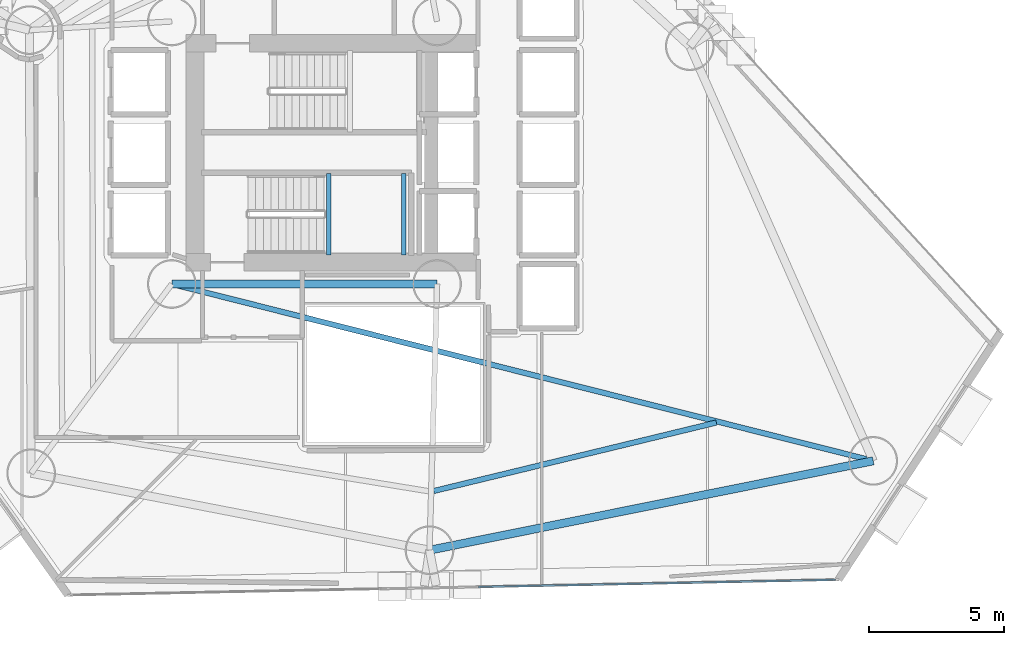
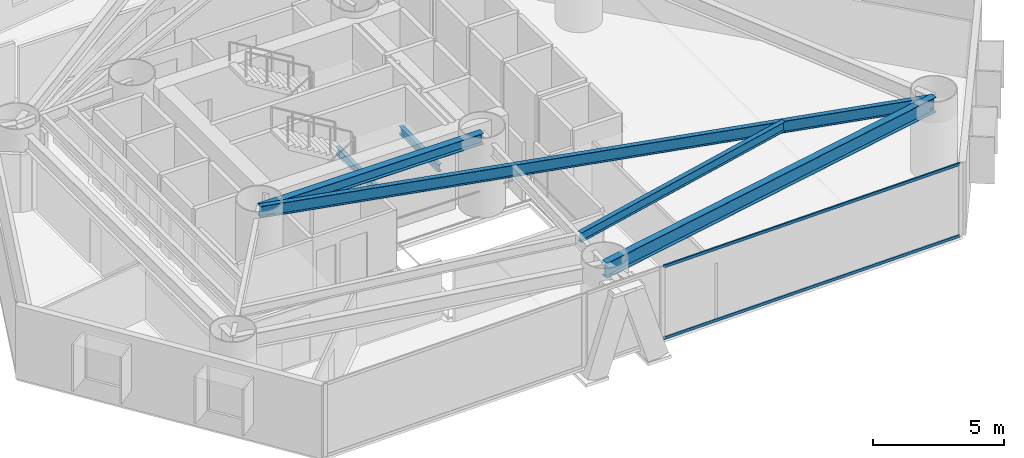
# One storey, part 6 of 22: 6 beams, 2 members, 1 element without a shape of its own.
"""IFC4 building model written with IfcOpenShell, lengths in metres."""

from ifc_helpers import new_model, si_unit, direction, frame, origin, origin_2d, place, context, subcontext, project, spatial, hollow_rectangle, i_section, extrude, material, layer, layer_set, material_profile, profile_set, type_object, element, aggregate, save


model = new_model("IFC4")

# Units and contexts
model_context = context("Model", 3, precision=1e-05, world=origin(), true_north=direction((0.0, 1.0)))
body_context = subcontext(model_context, "Body", "Model", "MODEL_VIEW")
ifc_project = project(units=[si_unit("LENGTHUNIT", "METRE"), si_unit("AREAUNIT", "SQUARE_METRE"), si_unit("VOLUMEUNIT", "CUBIC_METRE"), si_unit("PLANEANGLEUNIT", "RADIAN"), si_unit("MASSUNIT", "GRAM", prefix="KILO")], contexts=[model_context])

# Site, building, storey
site_placement = place(None, origin())
site = spatial("IfcSite", under=ifc_project, at=site_placement, CompositionType="ELEMENT")
building_placement = place(site_placement, origin())
building = spatial("IfcBuilding", under=site, at=building_placement, Name="Qianvela Tower", CompositionType="ELEMENT")
storey_placement = place(building_placement, frame((0.0, 0.0, 44.199951171875)))
storey = spatial("IfcBuildingStorey", under=building, at=storey_placement, Name="L10", CompositionType="ELEMENT", Elevation=44.199951171875)

# Beams
ifc_material_1 = material(Name="Steel Q355B", Category="steel")
ifc_material_profile_1 = material_profile(ifc_material_1, i_section(OverallWidth=0.300048828125, OverallDepth=0.5, WebThickness=0.010986328125, FlangeThickness=0.01806640625, at=origin_2d()), Name="HM500x300x11x18")
ifc_profile_set_1 = profile_set([ifc_material_profile_1], Name="Steel Q355B")
beam_type_1 = type_object("IfcBeamType", Name="BM-HM500-COLL", PredefinedType="BEAM", material=ifc_profile_set_1)
beam_1_placement = place(storey_placement, frame((28.60009765625, 23.85009765625, 3.14794921875), z_axis=(1.0, 0.0, 0.0), x_axis=(0.0, 1.0, 0.0)))
element("IfcBeam", 1, at=beam_1_placement, inside=storey, type_object=beam_type_1, Name="L10 Core Ring Collector Girder CC1", PredefinedType="BEAM", context=body_context, shape_type="SweptSolid", body=[
    extrude(i_section(OverallWidth=0.300048828125, OverallDepth=0.5, WebThickness=0.010986328125, FlangeThickness=0.01806640625, at=origin_2d()), origin(), (0.0, 0.0, 1.0), 9.7998046875),
])
ifc_material_2 = material(Name="Steel Q355B", Category="steel")
ifc_material_profile_2 = material_profile(ifc_material_2, i_section(OverallWidth=0.175048828125, OverallDepth=0.35009765625, WebThickness=0.007080078125, FlangeThickness=0.010986328125, at=origin_2d()), Name="HN350x175x7x11")
ifc_profile_set_2 = profile_set([ifc_material_profile_2], Name="Steel Q355B")
beam_type_2 = type_object("IfcBeamType", Name="BM-HN350-JOIST", PredefinedType="JOIST", material=ifc_profile_set_2)
for number, where, z_axis, x_axis, name in (
    (2, (34.39990234375, 24.919921875, 1.47509765625), (0.0, 1.0, 0.0), (-1.0, 0.0, 0.0), "L10 Stair ST-2 Landing Support Beam 1.1"),
    (3, (37.169921875, 24.919921875, 1.47509765625), (0.0, 1.0, 0.0), (-1.0, 0.0, 0.0), "L10 Stair ST-2 Landing Support Beam 1.2"),
):
    element("IfcBeam", number, at=place(storey_placement, frame(where, z_axis=z_axis, x_axis=x_axis)), inside=storey, type_object=beam_type_2, Name=name, PredefinedType="JOIST", context=body_context, shape_type="SweptSolid", body=[
        extrude(i_section(OverallWidth=0.175048828125, OverallDepth=0.35009765625, WebThickness=0.007080078125, FlangeThickness=0.010986328125, at=origin_2d()), origin(), (0.0, 0.0, 1.0), 3.02001953125),
    ])
ifc_material_3 = material(Name="Steel Q355B", Category="steel")
ifc_material_profile_3 = material_profile(ifc_material_3, i_section(OverallWidth=0.199951171875, OverallDepth=0.449951171875, WebThickness=0.009033203125, FlangeThickness=0.013916015625, at=origin_2d()), Name="HN450x200x9x14")
ifc_profile_set_3 = profile_set([ifc_material_profile_3], Name="Steel Q355B")
beam_type_3 = type_object("IfcBeamType", Name="BM-HN450-JOIST", PredefinedType="JOIST", material=ifc_profile_set_3)
beam_2_placement = place(storey_placement, frame((38.27490234375, 16.2021484375, 3.173095703125), z_axis=(0.97189533292, 0.235413385024, 0.0), x_axis=(-0.235413385024, 0.97189533292, 0.0)))
element("IfcBeam", 4, at=beam_2_placement, inside=storey, type_object=beam_type_3, Name="L10 Secondary Composite Floor Joist 6.3", PredefinedType="JOIST", context=body_context, shape_type="SweptSolid", body=[
    extrude(i_section(OverallWidth=0.199951171875, OverallDepth=0.449951171875, WebThickness=0.009033203125, FlangeThickness=0.013916015625, at=origin_2d()), origin(), (0.0, 0.0, 1.0), 10.7451171875),
])
ifc_material_4 = material(Name="Steel Q355B", Category="steel")
ifc_material_profile_4 = material_profile(ifc_material_4, i_section(OverallWidth=0.199951171875, OverallDepth=0.550048828125, WebThickness=0.010009765625, FlangeThickness=0.01611328125, at=origin_2d()), Name="HN550x200x10x16")
ifc_profile_set_4 = profile_set([ifc_material_profile_4], Name="Steel Q355B")
beam_type_4 = type_object("IfcBeamType", Name="BM-HN550-GIRD", PredefinedType="BEAM", material=ifc_profile_set_4)
beam_3_placement = place(storey_placement, frame((28.60009765625, 23.85009765625, 3.123046875), z_axis=(0.969654189465, -0.244480577661, 0.0), x_axis=(0.244480577661, 0.969654189465, 0.0)))
element("IfcBeam", 5, at=beam_3_placement, inside=storey, type_object=beam_type_4, Name="L10 Radial Primary Floor Girder 1", PredefinedType="BEAM", context=body_context, shape_type="SweptSolid", body=[
    extrude(i_section(OverallWidth=0.199951171875, OverallDepth=0.550048828125, WebThickness=0.010009765625, FlangeThickness=0.01611328125, at=origin_2d()), origin(), (0.0, 0.0, 1.0), 26.722900390625),
])
ifc_material_5 = material(Name="Steel Q355B", Category="steel")
ifc_material_profile_5 = material_profile(ifc_material_5, i_section(OverallWidth=0.300048828125, OverallDepth=0.699951171875, WebThickness=0.012939453125, FlangeThickness=0.02392578125, at=origin_2d()), Name="HN700x300x13x24")
ifc_profile_set_5 = profile_set([ifc_material_profile_5], Name="Steel Q355B")
beam_type_5 = type_object("IfcBeamType", Name="BM-HN700-SPAND", PredefinedType="SPANDREL", material=ifc_profile_set_5)
beam_4_placement = place(storey_placement, frame((38.1201171875, 14.01611328125, 3.048095703125), z_axis=(0.980322065881, 0.197404779951, 0.0), x_axis=(-0.197404779951, 0.980322065881, 0.0)))
element("IfcBeam", 6, at=beam_4_placement, inside=storey, type_object=beam_type_5, Name="L10 Perimeter Ring Spandrel Girder 6", PredefinedType="SPANDREL", context=body_context, shape_type="SweptSolid", body=[
    extrude(i_section(OverallWidth=0.300048828125, OverallDepth=0.699951171875, WebThickness=0.012939453125, FlangeThickness=0.02392578125, at=origin_2d()), origin(), (0.0, 0.0, 1.0), 16.720947265625),
])

# Curtain wall, members
ifc_material_6 = material(Name="Anodised Architectural Aluminium and Low-E Glass", Category="aluminium")
ifc_layer = layer(ifc_material_6, 0.179931640625)
ifc_layer_set = layer_set([ifc_layer], Name="Anodised Architectural Aluminium and Low-E Glass")
curtain_wall_type = type_object("IfcCurtainWallType", Name="CW-COLIV-Z12", PredefinedType="USERDEFINED", material=ifc_layer_set)
curtain_wall_placement = place(storey_placement, origin())
curtain_wall = element("IfcCurtainWall", 7, at=curtain_wall_placement, inside=storey, type_object=curtain_wall_type, Name="L10 CW-COLIV-Z12 Curtain Wall 06C", ObjectType="CURTAIN_WALL_SYSTEM", PredefinedType="USERDEFINED")
ifc_material_7 = material(Name="Anodised Architectural Aluminium 6063-T6", Category="aluminium")
ifc_material_profile_6 = material_profile(ifc_material_7, hollow_rectangle(XDim=0.06494140625, YDim=0.1298828125, WallThickness=0.00439453125, at=origin_2d()), Name="ALU-TRAN-65x130")
ifc_profile_set_6 = profile_set([ifc_material_profile_6], Name="Anodised Architectural Aluminium 6063-T6")
member_type = type_object("IfcMemberType", Name="CW-COLIV-Z12-TRAN", PredefinedType="USERDEFINED", material=ifc_profile_set_6)
member_1_placement = place(storey_placement, frame((39.92138671875, 12.659912109375, 0.032470703125), z_axis=(0.999797328042, 0.02013213453, 0.0), x_axis=(-0.02013213453, 0.999797328042, 0.0)))
member_1 = element("IfcMember", 8, at=member_1_placement, type_object=member_type, Name="CW-3 transom 1.1", ObjectType="TRANSOM", PredefinedType="USERDEFINED", context=body_context, shape_type="SweptSolid", body=[
    extrude(hollow_rectangle(XDim=0.06494140625, YDim=0.1298828125, WallThickness=0.00439453125, at=origin_2d()), origin(), (0.0, 0.0, 1.0), 13.194091796875),
])
member_2_placement = place(storey_placement, frame((39.92138671875, 12.659912109375, 3.367431640625), z_axis=(0.999797328042, 0.02013213453, 0.0), x_axis=(-0.02013213453, 0.999797328042, 0.0)))
member_2 = element("IfcMember", 9, at=member_2_placement, type_object=member_type, Name="CW-3 transom 1.2", ObjectType="TRANSOM", PredefinedType="USERDEFINED", context=body_context, shape_type="SweptSolid", body=[
    extrude(hollow_rectangle(XDim=0.06494140625, YDim=0.1298828125, WallThickness=0.00439453125, at=origin_2d()), origin(), (0.0, 0.0, 1.0), 13.194091796875),
])
aggregate(curtain_wall, [member_1, member_2])

save(model, "model.ifc")
